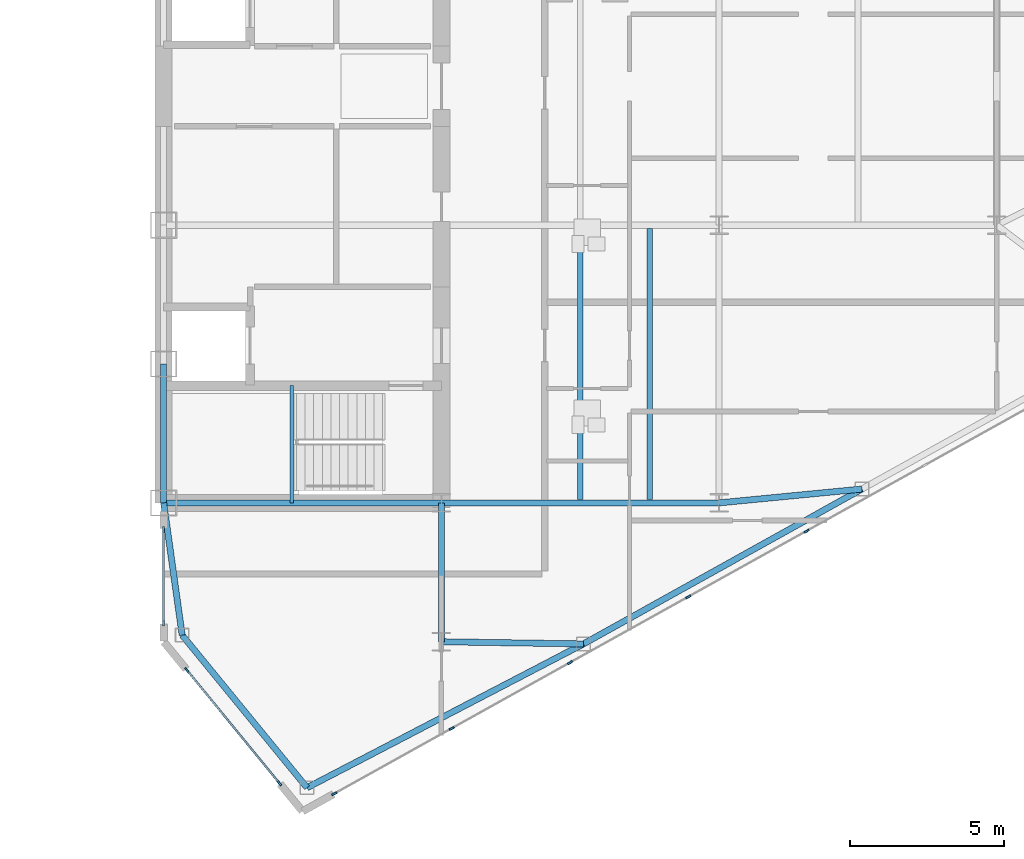
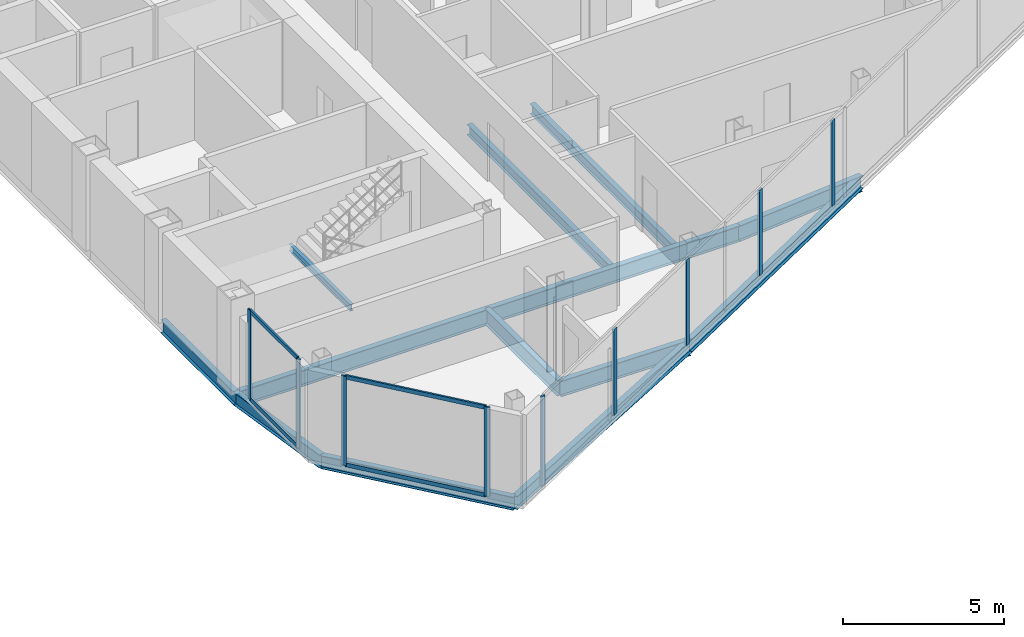
# One storey, part 11 of 26: 13 beams, 13 members, 3 elements without a shape of their own.
"""IFC4 building model written with IfcOpenShell, lengths in metres."""

import ifcopenshell
import ifcopenshell.guid

model = None  # the IFC model being written
_history = None  # IfcOwnerHistory: only IFC2X3 demands one
_inside = {}  # id of a spatial element -> (the spatial element, [elements in it])
_under = {}  # id of a project, library or spatial element -> (it, [spatial elements below it])
_declared = {}  # id of a project -> (the project, [libraries it declares])
_typed = {}  # id of a type object -> (the type object, [elements of that type])
_made_of = {}  # id of a material, layer set ... -> (it, [elements and type objects made of it])


def new_model(schema):
    """Start an empty IFC model of exactly this schema.

    Asked for "IFC4X3", IfcOpenShell would pick the latest addendum, in which some entities
    have other attributes; the version numbers below select the first issue.
    IFC2X3 requires an IfcOwnerHistory on every rooted entity: one is made here for all.
    """
    global model, _history
    if schema == "IFC4X3":
        model = ifcopenshell.file(schema_version=(4, 3, 0, 0))
    else:
        model = ifcopenshell.file(schema=schema)
    _inside.clear()
    _under.clear()
    _declared.clear()
    _typed.clear()
    _made_of.clear()
    _history = None
    if model.schema == "IFC2X3":
        org = make("IfcOrganization", Name="unknown")
        user = make(
            "IfcPersonAndOrganization",
            ThePerson=make("IfcPerson", FamilyName="unknown"),
            TheOrganization=org,
        )
        app = make(
            "IfcApplication",
            ApplicationDeveloper=org,
            Version="unknown",
            ApplicationFullName="unknown",
            ApplicationIdentifier="unknown",
        )
        _history = make(
            "IfcOwnerHistory",
            OwningUser=user,
            OwningApplication=app,
            ChangeAction="ADDED",
            CreationDate=0,
        )
    return model


def make(cls, **values):
    """One entity of the class cls with the attributes given. An attribute that is None is left unset."""
    return model.create_entity(
        cls, **{name: value for name, value in values.items() if value is not None}
    )


def rooted(cls, **values):
    """An entity with a GlobalId (a new one), such as an element, a storey or a relation."""
    return make(cls, GlobalId=ifcopenshell.guid.new(), OwnerHistory=_history, **values)


def si_unit(unit_type, name, prefix=None):
    """IfcSIUnit, for example si_unit("LENGTHUNIT", "METRE", prefix="MILLI")."""
    return make("IfcSIUnit", UnitType=unit_type, Prefix=prefix, Name=name)


def assignment(units):
    """IfcUnitAssignment: the units of a project."""
    return None if units is None else make("IfcUnitAssignment", Units=units)


def point(xyz):
    """IfcCartesianPoint."""
    return None if xyz is None else make("IfcCartesianPoint", Coordinates=xyz)


def direction(xyz):
    """IfcDirection."""
    return None if xyz is None else make("IfcDirection", DirectionRatios=xyz)


def frame(location, z_axis=None, x_axis=None):
    """IfcAxis2Placement3D, a coordinate frame: its origin and axes. An axis left out is left unset."""
    return make(
        "IfcAxis2Placement3D",
        Location=point(location),
        Axis=direction(z_axis),
        RefDirection=direction(x_axis),
    )


def frame_2d(location, x_axis=None):
    """IfcAxis2Placement2D, a coordinate frame in the plane: its origin and x axis."""
    return make(
        "IfcAxis2Placement2D", Location=point(location), RefDirection=direction(x_axis)
    )


def origin():
    """The frame at (0, 0, 0) with its axes left unset."""
    return frame((0.0, 0.0, 0.0))


def origin_2d():
    """The frame at (0, 0) in the plane with its x axis left unset."""
    return frame_2d((0.0, 0.0))


def place(relative_to, where):
    """IfcLocalPlacement: puts the frame where relative to a parent placement (None: the world)."""
    return make(
        "IfcLocalPlacement", PlacementRelTo=relative_to, RelativePlacement=where
    )


def context(
    kind, dimensions, precision=None, world=None, true_north=None, identifier=None
):
    """IfcGeometricRepresentationContext, for example the 3D "Model" context."""
    return make(
        "IfcGeometricRepresentationContext",
        ContextIdentifier=identifier,
        ContextType=kind,
        CoordinateSpaceDimension=dimensions,
        Precision=precision,
        WorldCoordinateSystem=world,
        TrueNorth=true_north,
    )


def subcontext(parent, identifier, kind, view, scale=None):
    """IfcGeometricRepresentationSubContext, for example "Body" below "Model"."""
    return make(
        "IfcGeometricRepresentationSubContext",
        ContextIdentifier=identifier,
        ContextType=kind,
        ParentContext=parent,
        TargetScale=scale,
        TargetView=view,
    )


def project(units=None, contexts=None):
    """IfcProject with its units and contexts."""
    return rooted(
        "IfcProject",
        Name="project",
        RepresentationContexts=contexts,
        UnitsInContext=assignment(units),
    )


def spatial(cls, under=None, at=None, **own):
    """A site, building, storey or space (cls), placed at a placement, below another one or the project."""
    s = rooted(cls, ObjectPlacement=at, **own)
    if under is not None:
        _under.setdefault(under.id(), (under, []))[1].append(s)
    return s


def profile(cls, at=None, kind="AREA", **sizes):
    """A parametric profile (cls). Its sizes go by their IFC names, for example OverallWidth=200.0."""
    return make(cls, ProfileType=kind, Position=at, **sizes)


def rectangle(**sizes):
    """IfcRectangleProfileDef."""
    return profile("IfcRectangleProfileDef", **sizes)


def i_section(**sizes):
    """IfcIShapeProfileDef."""
    return profile("IfcIShapeProfileDef", **sizes)


def extrude(swept, where, along, depth):
    """IfcExtrudedAreaSolid: the profile swept, set in the frame where, extruded along a direction by depth."""
    return make(
        "IfcExtrudedAreaSolid",
        SweptArea=swept,
        Position=where,
        ExtrudedDirection=direction(along),
        Depth=depth,
    )


def shape(context_of_items, identifier, shape_type, items):
    """IfcShapeRepresentation: the items that make up one representation, for example the "Body"."""
    return make(
        "IfcShapeRepresentation",
        ContextOfItems=context_of_items,
        RepresentationIdentifier=identifier,
        RepresentationType=shape_type,
        Items=items,
    )


def source(mapping_origin, context_of_items, identifier, shape_type, items):
    """IfcRepresentationMap: a shape defined once, which mapped items show again and again."""
    return make(
        "IfcRepresentationMap",
        MappingOrigin=mapping_origin,
        MappedRepresentation=shape(context_of_items, identifier, shape_type, items),
    )


def transform(
    local_origin,
    x_axis=None,
    y_axis=None,
    z_axis=None,
    scale=None,
    scale2=None,
    scale3=None,
    uniform=True,
):
    """IfcCartesianTransformationOperator3D, or its non-uniform kind. x_axis, y_axis, z_axis: its Axis1, 2, 3."""
    if uniform:
        return make(
            "IfcCartesianTransformationOperator3D",
            Axis1=direction(x_axis),
            Axis2=direction(y_axis),
            LocalOrigin=point(local_origin),
            Scale=scale,
            Axis3=direction(z_axis),
        )
    return make(
        "IfcCartesianTransformationOperator3DnonUniform",
        Axis1=direction(x_axis),
        Axis2=direction(y_axis),
        LocalOrigin=point(local_origin),
        Scale=scale,
        Axis3=direction(z_axis),
        Scale2=scale2,
        Scale3=scale3,
    )


def mapped(mapping_source, mapping_target):
    """IfcMappedItem: shows the shape of a source again, moved by a transform."""
    return make(
        "IfcMappedItem", MappingSource=mapping_source, MappingTarget=mapping_target
    )


def material(Name=None, Category=None):
    """IfcMaterial."""
    return make("IfcMaterial", Name=Name, Category=Category)


def layer(
    of_material, thickness, ventilated=None, Name=None, Category=None, Priority=None
):
    """IfcMaterialLayer: one layer of a wall or slab, of a material (None: an air gap)."""
    return make(
        "IfcMaterialLayer",
        Material=of_material,
        LayerThickness=thickness,
        IsVentilated=ventilated,
        Name=Name,
        Category=Category,
        Priority=Priority,
    )


def layer_set(layers, Name=None):
    """IfcMaterialLayerSet."""
    return make("IfcMaterialLayerSet", MaterialLayers=layers, LayerSetName=Name)


def material_profile(
    of_material, cross_section, Name=None, Category=None, Priority=None
):
    """IfcMaterialProfile: a cross section and its material."""
    return make(
        "IfcMaterialProfile",
        Name=Name,
        Material=of_material,
        Profile=cross_section,
        Priority=Priority,
        Category=Category,
    )


def profile_set(profiles, Name=None, composite=None):
    """IfcMaterialProfileSet."""
    return make(
        "IfcMaterialProfileSet",
        Name=Name,
        MaterialProfiles=profiles,
        CompositeProfile=composite,
    )


def made_of(thing, what):
    """Note that an element or type object is made of a material, layer set ...; save() writes the relation."""
    if what is not None:
        _made_of.setdefault(what.id(), (what, []))[1].append(thing)
    return thing


def type_object(cls, material=None, **own):
    """A type object (cls), such as IfcWallType, which elements share."""
    return made_of(rooted(cls, **own), material)


def type_shapes(of_type, sources):
    """Give a type object the sources (RepresentationMaps) that its elements show as mapped items."""
    of_type.RepresentationMaps = sources


def element(
    cls,
    number,
    at=None,
    inside=None,
    cuts=None,
    type_object=None,
    material=None,
    context=None,
    identifier="Body",
    shape_type=None,
    held_by="IfcProductDefinitionShape",
    body=None,
    shapes=None,
    **own,
):
    """One element of the class cls, such as IfcWall. Its Tag is "e" and its number.

    at: its placement. inside: the storey or other place that contains it. cuts: it is an
    opening in that element (IfcRelVoidsElement). A single representation is given by context,
    identifier, shape_type and body (its items); several are given by shapes. held_by: the class
    of the entity that holds the representations. save() writes the other relations.
    """
    e = rooted(cls, Tag="e%d" % number, ObjectPlacement=at, **own)
    if body is not None:
        shapes = [shape(context, identifier, shape_type, body)]
    if shapes is not None:
        e.Representation = make(held_by, Representations=shapes)
    if inside is not None:
        _inside.setdefault(inside.id(), (inside, []))[1].append(e)
    if cuts is not None:
        rooted(
            "IfcRelVoidsElement", RelatingBuildingElement=cuts, RelatedOpeningElement=e
        )
    if type_object is not None:
        _typed.setdefault(type_object.id(), (type_object, []))[1].append(e)
    return made_of(e, material)


def aggregate(whole, parts):
    """IfcRelAggregates: a whole, such as a stair, and the parts it consists of."""
    return rooted("IfcRelAggregates", RelatingObject=whole, RelatedObjects=parts)


def save(model, path):
    """Write the relations noted so far, then the file.

    IfcRelAggregates (storeys below a building ...), IfcRelContainedInSpatialStructure (elements
    in a storey), IfcRelDefinesByType, IfcRelAssociatesMaterial and IfcRelDeclares: one each for
    every whole, place, type object, material and project.
    """
    for whole, parts in _under.values():
        aggregate(whole, parts)
    for where, things in _inside.values():
        rooted(
            "IfcRelContainedInSpatialStructure",
            RelatedElements=things,
            RelatingStructure=where,
        )
    for kind, things in _typed.values():
        rooted("IfcRelDefinesByType", RelatedObjects=things, RelatingType=kind)
    for what, things in _made_of.values():
        rooted("IfcRelAssociatesMaterial", RelatedObjects=things, RelatingMaterial=what)
    for by, libraries in _declared.values():
        rooted("IfcRelDeclares", RelatingContext=by, RelatedDefinitions=libraries)
    model.write(path)


model = new_model("IFC4")

# Units and contexts
model_context = context("Model", 3, precision=1e-05, world=origin(), true_north=direction((0.0, 1.0)))
body_context = subcontext(model_context, "Body", "Model", "MODEL_VIEW")
ifc_project = project(units=[si_unit("LENGTHUNIT", "METRE"), si_unit("AREAUNIT", "SQUARE_METRE"), si_unit("VOLUMEUNIT", "CUBIC_METRE"), si_unit("PLANEANGLEUNIT", "RADIAN"), si_unit("MASSUNIT", "GRAM", prefix="KILO")], contexts=[model_context])

# Site, building, storey
site_placement = place(None, origin())
site = spatial("IfcSite", under=ifc_project, at=site_placement, CompositionType="ELEMENT")
building_placement = place(site_placement, origin())
building = spatial("IfcBuilding", under=site, at=building_placement, Name="Seokmaru Belvedere", CompositionType="ELEMENT")
storey_placement = place(building_placement, frame((0.0, 0.0, 170.699951171875)))
storey = spatial("IfcBuildingStorey", under=building, at=storey_placement, Name="L45", CompositionType="ELEMENT", Elevation=170.699951171875)

# Beams
ifc_material_1 = material(Name="Steel SM355 (355 MPa)", Category="steel")
ifc_material_profile_1 = material_profile(ifc_material_1, i_section(OverallWidth=0.199951171875, OverallDepth=0.5, WebThickness=0.010009765625, FlangeThickness=0.01611328125, at=origin_2d()), Name="H-500x200x10x16")
ifc_profile_set_1 = profile_set([ifc_material_profile_1], Name="Steel SM355 (355 MPa)")
beam_type_1 = type_object("IfcBeamType", Name="Perimeter Spandrel Beam H-500", PredefinedType="SPANDREL", material=ifc_profile_set_1)
shared_shape_1 = source(origin(), body_context, "Body", "SweptSolid", [
    extrude(i_section(OverallWidth=0.199951171875, OverallDepth=0.5, WebThickness=0.010009765625, FlangeThickness=0.01611328125, at=origin_2d()), origin(), (0.0, 0.0, 1.0), 4.5),
])
beam_1_placement = place(storey_placement, frame((27.5, -13.5, -0.469970703125), z_axis=(0.0, 1.0, 0.0), x_axis=(-1.0, 0.0, 0.0)))
element("IfcBeam", 1, at=beam_1_placement, inside=storey, type_object=beam_type_1, Name="L45 E Portal Spine Spandrel 1", PredefinedType="SPANDREL", context=body_context, shape_type="MappedRepresentation", body=[
    mapped(shared_shape_1, transform((0.0, 0.0, 0.0), scale=1.0)),
])
ifc_material_profile_2 = material_profile(ifc_material_1, i_section(OverallWidth=0.199951171875, OverallDepth=0.60009765625, WebThickness=0.010986328125, FlangeThickness=0.01708984375, at=origin_2d()), Name="H-600x200x11x17")
ifc_profile_set_2 = profile_set([ifc_material_profile_2], Name="Steel SM355 (355 MPa)")
beam_type_2 = type_object("IfcBeamType", Name="Primary Floor Girder H-600", PredefinedType="BEAM", material=ifc_profile_set_2)
shared_shape_2 = source(origin(), body_context, "Body", "SweptSolid", [
    extrude(i_section(OverallWidth=0.199951171875, OverallDepth=0.60009765625, WebThickness=0.010986328125, FlangeThickness=0.01708984375, at=origin_2d()), origin(), (0.0, 0.0, 1.0), 9.0),
])
for number, where, z_axis, x_axis, name in (
    (2, (27.5, -13.5, -0.52001953125), (1.0, 0.0, 0.0), (0.0, 1.0, 0.0), "L45 E Core Tie Girder 1"),
    (3, (36.5, -13.5, -0.52001953125), (1.0, 0.0, 0.0), (0.0, 1.0, 0.0), "L45 E Wing Primary Girder 1"),
):
    element("IfcBeam", number, at=place(storey_placement, frame(where, z_axis=z_axis, x_axis=x_axis)), inside=storey, type_object=beam_type_2, Name=name, PredefinedType="BEAM", context=body_context, shape_type="MappedRepresentation", body=[
        mapped(shared_shape_2, transform((0.0, 0.0, 0.0), scale=1.0)),
    ])
ifc_material_profile_3 = material_profile(ifc_material_1, i_section(OverallWidth=0.18505859375, OverallDepth=0.389892578125, WebThickness=0.008056640625, FlangeThickness=0.011962890625, at=origin_2d()), Name="H-390x185x8x12")
ifc_profile_set_3 = profile_set([ifc_material_profile_3], Name="Steel SM355 (355 MPa)")
beam_type_3 = type_object("IfcBeamType", Name="Secondary Floor Joist H-350", PredefinedType="JOIST", material=ifc_profile_set_3)
shared_shape_3 = source(origin(), body_context, "Body", "SweptSolid", [
    extrude(i_section(OverallWidth=0.18505859375, OverallDepth=0.389892578125, WebThickness=0.008056640625, FlangeThickness=0.011962890625, at=origin_2d()), origin(), (0.0, 0.0, 1.0), 8.7900390625),
])
type_shapes(beam_type_3, [shared_shape_3])
for number, where, z_axis, x_axis, name in (
    (4, (43.25, -13.39501953125, -0.4150390625), (0.0, 1.0, 0.0), (-1.0, 0.0, 0.0), "L45 E Wing Inner Secondary Joist 1"),
    (5, (41.0, -13.39501953125, -0.4150390625), (0.0, 1.0, 0.0), (-1.0, 0.0, 0.0), "L45 E Secondary Floor Joist 1"),
):
    element("IfcBeam", number, at=place(storey_placement, frame(where, z_axis=z_axis, x_axis=x_axis)), inside=storey, type_object=beam_type_3, Name=name, PredefinedType="JOIST", context=body_context, shape_type="MappedRepresentation", body=[
        mapped(shared_shape_3, transform((0.0, 0.0, 0.0), scale=1.0)),
    ])
shared_shape_4 = source(origin(), body_context, "Body", "SweptSolid", [
    extrude(i_section(OverallWidth=0.199951171875, OverallDepth=0.60009765625, WebThickness=0.010986328125, FlangeThickness=0.01708984375, at=origin_2d()), origin(), (0.0, 0.0, 1.0), 4.5),
])
beam_2_placement = place(storey_placement, frame((36.5, -18.0, -0.52001953125), z_axis=(0.0, 1.0, 0.0), x_axis=(-1.0, 0.0, 0.0)))
element("IfcBeam", 6, at=beam_2_placement, inside=storey, type_object=beam_type_2, Name="L45 E Core Shoulder Girder S", PredefinedType="BEAM", context=body_context, shape_type="MappedRepresentation", body=[
    mapped(shared_shape_4, transform((0.0, 0.0, 0.0), scale=1.0)),
])
shared_shape_5 = source(origin(), body_context, "Body", "SweptSolid", [
    extrude(i_section(OverallWidth=0.199951171875, OverallDepth=0.5, WebThickness=0.010009765625, FlangeThickness=0.01611328125, at=origin_2d()), origin(), (0.0, 0.0, 1.0), 10.09716796875),
])
beam_3_placement = place(storey_placement, frame((32.146728515625, -22.731689453125, -0.469970703125), z_axis=(0.887085728914, 0.461604711369, 0.0), x_axis=(-0.461604711369, 0.887085728914, 0.0)))
element("IfcBeam", 7, at=beam_3_placement, inside=storey, type_object=beam_type_1, Name="L45 E Faceted Flank Spandrel S-1", PredefinedType="SPANDREL", context=body_context, shape_type="MappedRepresentation", body=[
    mapped(shared_shape_5, transform((0.0, 0.0, 0.0), scale=1.0)),
])
shared_shape_6 = source(origin(), body_context, "Body", "SweptSolid", [
    extrude(i_section(OverallWidth=0.199951171875, OverallDepth=0.5, WebThickness=0.010009765625, FlangeThickness=0.01611328125, at=origin_2d()), origin(), (0.0, 0.0, 1.0), 10.327392578125),
])
beam_4_placement = place(storey_placement, frame((41.103759765625, -18.07080078125, -0.469970703125), z_axis=(0.873924120588, 0.486062374037, 0.0), x_axis=(-0.486062374037, 0.873924120588, 0.0)))
element("IfcBeam", 8, at=beam_4_placement, inside=storey, type_object=beam_type_1, Name="L45 E Faceted Flank Spandrel S-2", PredefinedType="SPANDREL", context=body_context, shape_type="MappedRepresentation", body=[
    mapped(shared_shape_6, transform((0.0, 0.0, 0.0), scale=1.0)),
])
shared_shape_7 = source(origin(), body_context, "Body", "SweptSolid", [
    extrude(i_section(OverallWidth=0.199951171875, OverallDepth=0.5, WebThickness=0.010009765625, FlangeThickness=0.01611328125, at=origin_2d()), origin(), (0.0, 0.0, 1.0), 6.390380859375),
])
beam_5_placement = place(storey_placement, frame((32.146728515625, -22.731689453125, -0.469970703125), z_axis=(-0.63324403161, 0.7739521926, 0.0), x_axis=(-0.7739521926, -0.63324403161, 0.0)))
element("IfcBeam", 9, at=beam_5_placement, inside=storey, type_object=beam_type_1, Name="L45 E Shoulder Chamfer Spandrel S", PredefinedType="SPANDREL", context=body_context, shape_type="MappedRepresentation", body=[
    mapped(shared_shape_7, transform((0.0, 0.0, 0.0), scale=1.0)),
])
shared_shape_8 = source(origin(), body_context, "Body", "SweptSolid", [
    extrude(i_section(OverallWidth=0.199951171875, OverallDepth=0.5, WebThickness=0.010009765625, FlangeThickness=0.01611328125, at=origin_2d()), origin(), (0.0, 0.0, 1.0), 4.32763671875),
])
type_shapes(beam_type_1, [shared_shape_1, shared_shape_5, shared_shape_6, shared_shape_7, shared_shape_8])
beam_6_placement = place(storey_placement, frame((28.10009765625, -17.785888671875, -0.469970703125), z_axis=(-0.138664443237, 0.990339422714, 0.0), x_axis=(-0.990339422714, -0.138664443237, 0.0)))
element("IfcBeam", 10, at=beam_6_placement, inside=storey, type_object=beam_type_1, Name="L45 E Shoulder Spine Spandrel S", PredefinedType="SPANDREL", context=body_context, shape_type="MappedRepresentation", body=[
    mapped(shared_shape_8, transform((0.0, 0.0, 0.0), scale=1.0)),
])
shared_shape_9 = source(origin(), body_context, "Body", "SweptSolid", [
    extrude(i_section(OverallWidth=0.199951171875, OverallDepth=0.60009765625, WebThickness=0.010986328125, FlangeThickness=0.01708984375, at=origin_2d()), origin(), (0.0, 0.0, 1.0), 4.604248046875),
])
beam_7_placement = place(storey_placement, frame((41.103759765625, -18.07080078125, -0.52001953125), z_axis=(-0.999881765622, 0.01537708607, 0.0), x_axis=(-0.01537708607, -0.999881765622, 0.0)))
element("IfcBeam", 11, at=beam_7_placement, inside=storey, type_object=beam_type_2, Name="L45 E Flank Radial Floor Girder S-1", PredefinedType="BEAM", context=body_context, shape_type="MappedRepresentation", body=[
    mapped(shared_shape_9, transform((0.0, 0.0, 0.0), scale=1.0)),
])
shared_shape_10 = source(origin(), body_context, "Body", "SweptSolid", [
    extrude(i_section(OverallWidth=0.199951171875, OverallDepth=0.60009765625, WebThickness=0.010986328125, FlangeThickness=0.01708984375, at=origin_2d()), origin(), (0.0, 0.0, 1.0), 4.65087890625),
])
type_shapes(beam_type_2, [shared_shape_2, shared_shape_4, shared_shape_9, shared_shape_10])
beam_8_placement = place(storey_placement, frame((50.129150390625, -13.051025390625, -0.52001953125), z_axis=(-0.995329534874, -0.09653557379, 0.0), x_axis=(0.09653557379, -0.995329534874, 0.0)))
element("IfcBeam", 12, at=beam_8_placement, inside=storey, type_object=beam_type_2, Name="L45 E Flank Radial Floor Girder S-2", PredefinedType="BEAM", context=body_context, shape_type="MappedRepresentation", body=[
    mapped(shared_shape_10, transform((0.0, 0.0, 0.0), scale=1.0)),
])

# Curtain wall, members
ifc_material_2 = material(Name="Bronze Triple Insulating Glass", Category="glass")
ifc_layer = layer(ifc_material_2, 0.179931640625)
ifc_layer_set = layer_set([ifc_layer], Name="Bronze Triple Insulating Glass")
curtain_wall_type = type_object("IfcCurtainWallType", Name="High-Rise Wind-Corner Curtain Wall System CW-5", PredefinedType="NOTDEFINED", material=ifc_layer_set)
curtain_wall_1_placement = place(storey_placement, origin())
curtain_wall_1 = element("IfcCurtainWall", 13, at=curtain_wall_1_placement, inside=storey, type_object=curtain_wall_type, Name="L45 Curtain Wall ESP_1", PredefinedType="NOTDEFINED")
ifc_material_3 = material(Name="Anodised Bronze Aluminium", Category="aluminium")
ifc_material_profile_4 = material_profile(ifc_material_3, rectangle(XDim=0.06494140625, YDim=0.14990234375, at=origin_2d()), Name="CW-T-65x150")
ifc_profile_set_4 = profile_set([ifc_material_profile_4], Name="Anodised Bronze Aluminium")
member_type_1 = type_object("IfcMemberType", Name="Bronze Unitised Transom 65x150", PredefinedType="USERDEFINED", material=ifc_profile_set_4)
shared_shape_11 = source(origin(), body_context, "Body", "SweptSolid", [
    extrude(rectangle(XDim=0.06494140625, YDim=0.14990234375, at=origin_2d()), origin(), (0.0, 0.0, 1.0), 2.969970703125),
])
member_1_placement = place(storey_placement, frame((27.5, -14.39501953125, 0.032470703125), z_axis=(0.0, -1.0, 0.0), x_axis=(1.0, 0.0, 0.0)))
member_1 = element("IfcMember", 14, at=member_1_placement, type_object=member_type_1, Name="CW:L45:ESP_1 Continuous Transom 1", ObjectType="TRANSOM", PredefinedType="USERDEFINED", context=body_context, shape_type="MappedRepresentation", body=[
    mapped(shared_shape_11, transform((0.0, 0.0, 0.0), scale=1.0)),
])
member_2_placement = place(storey_placement, frame((27.5, -14.39501953125, 3.34765625), z_axis=(0.0, -1.0, 0.0), x_axis=(1.0, 0.0, 0.0)))
member_2 = element("IfcMember", 15, at=member_2_placement, type_object=member_type_1, Name="CW:L45:ESP_1 Continuous Transom 2", ObjectType="TRANSOM", PredefinedType="USERDEFINED", context=body_context, shape_type="MappedRepresentation", body=[
    mapped(shared_shape_11, transform((0.0, 0.0, 0.0), scale=1.0)),
])

curtain_wall_2_placement = place(storey_placement, origin())
curtain_wall_2 = element("IfcCurtainWall", 16, at=curtain_wall_2_placement, inside=storey, type_object=curtain_wall_type, Name="L45 Curtain Wall EF6", PredefinedType="NOTDEFINED")
shared_shape_12 = source(origin(), body_context, "Body", "SweptSolid", [
    extrude(rectangle(XDim=0.06494140625, YDim=0.14990234375, at=origin_2d()), origin(), (0.0, 0.0, 1.0), 4.67626953125),
])
type_shapes(member_type_1, [shared_shape_11, shared_shape_12])
member_3_placement = place(storey_placement, frame((28.269287109375, -18.9404296875, 0.032470703125), z_axis=(0.633277591216, -0.773924733074, 0.0), x_axis=(0.773924733074, 0.633277591216, 0.0)))
member_3 = element("IfcMember", 17, at=member_3_placement, type_object=member_type_1, Name="CW:L45:EF6 Continuous Transom 1", ObjectType="TRANSOM", PredefinedType="USERDEFINED", context=body_context, shape_type="MappedRepresentation", body=[
    mapped(shared_shape_12, transform((0.0, 0.0, 0.0), scale=1.0)),
])
member_4_placement = place(storey_placement, frame((28.269287109375, -18.9404296875, 3.34765625), z_axis=(0.633277591216, -0.773924733074, 0.0), x_axis=(0.773924733074, 0.633277591216, 0.0)))
member_4 = element("IfcMember", 18, at=member_4_placement, type_object=member_type_1, Name="CW:L45:EF6 Continuous Transom 2", ObjectType="TRANSOM", PredefinedType="USERDEFINED", context=body_context, shape_type="MappedRepresentation", body=[
    mapped(shared_shape_12, transform((0.0, 0.0, 0.0), scale=1.0)),
])

curtain_wall_3_placement = place(storey_placement, origin())
curtain_wall_3 = element("IfcCurtainWall", 19, at=curtain_wall_3_placement, inside=storey, type_object=curtain_wall_type, Name="L45 Curtain Wall EF1", PredefinedType="NOTDEFINED")
ifc_material_profile_5 = material_profile(ifc_material_3, rectangle(XDim=0.06494140625, YDim=0.179931640625, at=origin_2d()), Name="CW-M-65x180")
ifc_profile_set_5 = profile_set([ifc_material_profile_5], Name="Anodised Bronze Aluminium")
member_type_2 = type_object("IfcMemberType", Name="Bronze Unitised Mullion 65x180", PredefinedType="MULLION", material=ifc_profile_set_5)
shared_shape_13 = source(origin(), body_context, "Body", "SweptSolid", [
    extrude(rectangle(XDim=0.06494140625, YDim=0.179931640625, at=origin_2d()), origin(), (0.0, 0.0, 1.0), 3.25),
])
member_5_placement = place(storey_placement, frame((36.837158203125, -20.809814453125, 0.06494140625), z_axis=(0.0, 0.0, 1.0), x_axis=(-0.486047125147, 0.873932601598, 0.0)))
member_5 = element("IfcMember", 20, at=member_5_placement, type_object=member_type_2, Name="CW:L45:EF1 Mullion 2", PredefinedType="MULLION", context=body_context, shape_type="MappedRepresentation", body=[
    mapped(shared_shape_13, transform((0.0, 0.0, 0.0), scale=1.0)),
])
member_6_placement = place(storey_placement, frame((40.66943359375, -18.67822265625, 0.06494140625), z_axis=(0.0, 0.0, 1.0), x_axis=(-0.486047125147, 0.873932601598, 0.0)))
member_6 = element("IfcMember", 21, at=member_6_placement, type_object=member_type_2, Name="CW:L45:EF1 Mullion 3", PredefinedType="MULLION", context=body_context, shape_type="MappedRepresentation", body=[
    mapped(shared_shape_13, transform((0.0, 0.0, 0.0), scale=1.0)),
])
member_7_placement = place(storey_placement, frame((44.501708984375, -16.547119140625, 0.06494140625), z_axis=(0.0, 0.0, 1.0), x_axis=(-0.486047125147, 0.873932601598, 0.0)))
member_7 = element("IfcMember", 22, at=member_7_placement, type_object=member_type_2, Name="CW:L45:EF1 Mullion 4", PredefinedType="MULLION", context=body_context, shape_type="MappedRepresentation", body=[
    mapped(shared_shape_13, transform((0.0, 0.0, 0.0), scale=1.0)),
])
member_8_placement = place(storey_placement, frame((48.333984375, -14.415771484375, 0.06494140625), z_axis=(0.0, 0.0, 1.0), x_axis=(-0.486047125147, 0.873932601598, 0.0)))
member_8 = element("IfcMember", 23, at=member_8_placement, type_object=member_type_2, Name="CW:L45:EF1 Mullion 5", PredefinedType="MULLION", context=body_context, shape_type="MappedRepresentation", body=[
    mapped(shared_shape_13, transform((0.0, 0.0, 0.0), scale=1.0)),
])
shared_shape_14 = source(origin(), body_context, "Body", "SweptSolid", [
    extrude(rectangle(XDim=0.06494140625, YDim=0.179931640625, at=origin_2d()), origin(), (0.0, 0.0, 1.0), 3.380126953125),
])
type_shapes(member_type_2, [shared_shape_13, shared_shape_14])
member_9_placement = place(storey_placement, frame((33.033447265625, -22.92529296875, 0.0), z_axis=(0.0, 0.0, 1.0), x_axis=(-0.486047125147, 0.873932601598, 0.0)))
member_9 = element("IfcMember", 24, at=member_9_placement, type_object=member_type_2, Name="CW:L45:EF1 Mullion 1", PredefinedType="MULLION", context=body_context, shape_type="MappedRepresentation", body=[
    mapped(shared_shape_14, transform((0.0, 0.0, 0.0), scale=1.0)),
])
aggregate(curtain_wall_3, [member_9, member_5, member_6, member_7, member_8])

# Member
member_10_placement = place(storey_placement, frame((27.5, -14.362548828125, 0.0), z_axis=(0.0, 0.0, 1.0), x_axis=(1.0, 0.0, 0.0)))
member_10 = element("IfcMember", 25, at=member_10_placement, type_object=member_type_2, Name="CW:L45:ESP_1 Mullion 1", PredefinedType="MULLION", context=body_context, shape_type="MappedRepresentation", body=[
    mapped(shared_shape_14, transform((0.0, 0.0, 0.0), scale=1.0)),
])

member_11_placement = place(storey_placement, frame((27.5, -17.3974609375, 0.0), z_axis=(0.0, 0.0, 1.0), x_axis=(1.0, 0.0, 0.0)))
member_11 = element("IfcMember", 26, at=member_11_placement, type_object=member_type_2, Name="CW:L45:ESP_1 Mullion 2", PredefinedType="MULLION", context=body_context, shape_type="MappedRepresentation", body=[
    mapped(shared_shape_14, transform((0.0, 0.0, 0.0), scale=1.0)),
])

aggregate(curtain_wall_1, [member_10, member_11, member_1, member_2])

member_12_placement = place(storey_placement, frame((28.248779296875, -18.915283203125, 0.0), z_axis=(0.0, 0.0, 1.0), x_axis=(0.773944112379, 0.633253907144, 0.0)))
member_12 = element("IfcMember", 27, at=member_12_placement, type_object=member_type_2, Name="CW:L45:EF6 Mullion 1", PredefinedType="MULLION", context=body_context, shape_type="MappedRepresentation", body=[
    mapped(shared_shape_14, transform((0.0, 0.0, 0.0), scale=1.0)),
])

member_13_placement = place(storey_placement, frame((31.251220703125, -22.584716796875, 0.0), z_axis=(0.0, 0.0, 1.0), x_axis=(0.773944112379, 0.633253907144, 0.0)))
member_13 = element("IfcMember", 28, at=member_13_placement, type_object=member_type_2, Name="CW:L45:EF6 Mullion 2", PredefinedType="MULLION", context=body_context, shape_type="MappedRepresentation", body=[
    mapped(shared_shape_14, transform((0.0, 0.0, 0.0), scale=1.0)),
])

aggregate(curtain_wall_2, [member_12, member_13, member_3, member_4])

# Beam
ifc_material_profile_6 = material_profile(ifc_material_1, i_section(OverallWidth=0.125, OverallDepth=0.25, WebThickness=0.006103515625, FlangeThickness=0.009033203125, at=origin_2d()), Name="H-250x125x6x9")
ifc_profile_set_6 = profile_set([ifc_material_profile_6], Name="Steel SM355 (355 MPa)")
beam_type_4 = type_object("IfcBeamType", Name="Stair Mid-Landing Support Beam H-250", PredefinedType="JOIST", material=ifc_profile_set_6)
shared_shape_15 = source(origin(), body_context, "Body", "SweptSolid", [
    extrude(i_section(OverallWidth=0.125, OverallDepth=0.25, WebThickness=0.006103515625, FlangeThickness=0.009033203125, at=origin_2d()), origin(), (0.0, 0.0, 1.0), 3.800048828125),
])
type_shapes(beam_type_4, [shared_shape_15])
beam_9_placement = place(storey_placement, frame((31.64990234375, -13.5, 1.47509765625), z_axis=(0.0, 1.0, 0.0), x_axis=(-1.0, 0.0, 0.0)))
element("IfcBeam", 29, at=beam_9_placement, inside=storey, type_object=beam_type_4, Name="L45 Stair ST-E1 Mid-Landing Support Beam 1", PredefinedType="JOIST", context=body_context, shape_type="MappedRepresentation", body=[
    mapped(shared_shape_15, transform((0.0, 0.0, 0.0), scale=1.0)),
])

save(model, "model.ifc")
